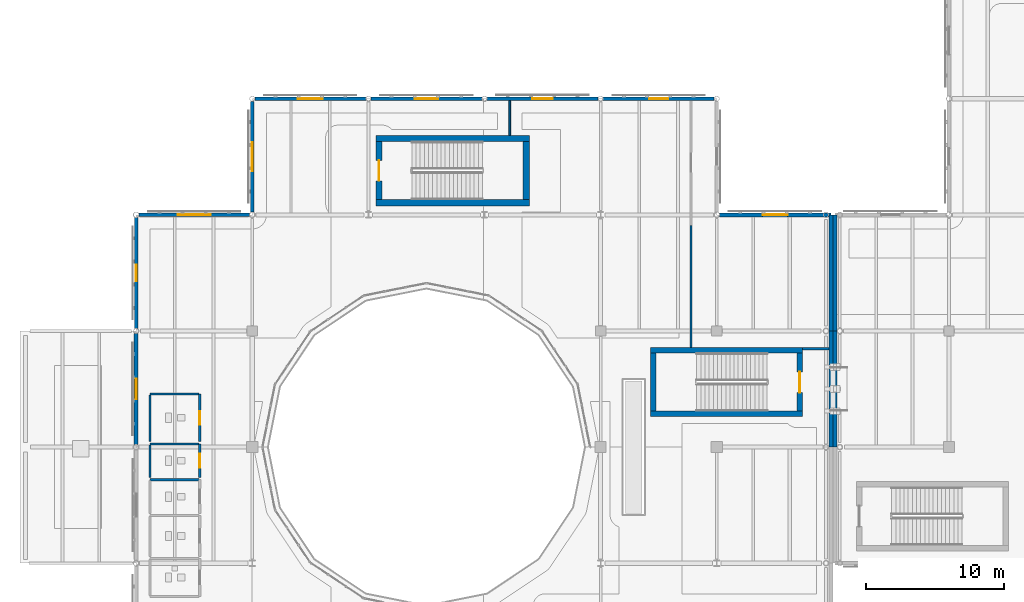
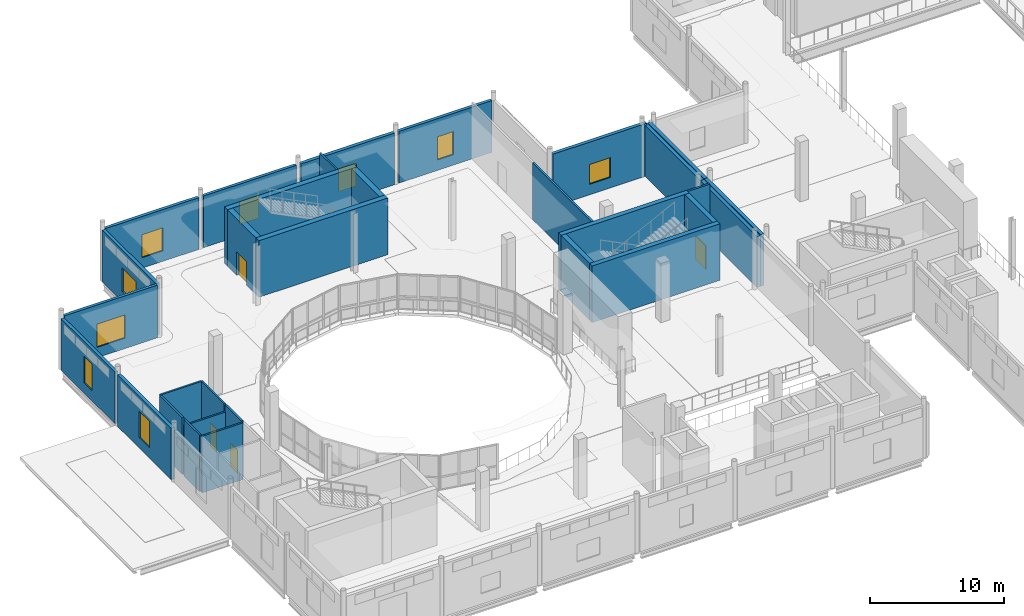
# One storey, part 68 of 110: 31 walls, 9 windows, 4 doors, 13 openings.
"""IFC4 building model written with IfcOpenShell, lengths in metres."""

from ifc_helpers import new_model, si_unit, direction, frame, frame_2d, origin, place, context, subcontext, project, spatial, rectangle, extrude, material, layer, layer_set, type_object, element, fill, save


model = new_model("IFC4")

# Units and contexts
model_context = context("Model", 3, precision=1e-05, world=origin(), true_north=direction((0.0, 1.0)))
body_context = subcontext(model_context, "Body", "Model", "MODEL_VIEW")
ifc_project = project(units=[si_unit("LENGTHUNIT", "METRE"), si_unit("AREAUNIT", "SQUARE_METRE"), si_unit("VOLUMEUNIT", "CUBIC_METRE"), si_unit("PLANEANGLEUNIT", "RADIAN"), si_unit("MASSUNIT", "GRAM", prefix="KILO"), si_unit("THERMODYNAMICTEMPERATUREUNIT", "KELVIN")], contexts=[model_context])

# Site, building, storey
site_placement = place(None, origin())
site = spatial("IfcSite", under=ifc_project, at=site_placement, CompositionType="ELEMENT")
building_placement = place(site_placement, origin())
building = spatial("IfcBuilding", under=site, at=building_placement, Name="Lustrewick Department Store", CompositionType="ELEMENT")
storey_placement = place(building_placement, frame((0.0, 0.0, 6.0)))
storey = spatial("IfcBuildingStorey", under=building, at=storey_placement, Name="L02", CompositionType="ELEMENT", Elevation=6.0)

# Wall, opening, window
ifc_material_1 = material(Name="Precast concrete C40", Category="concrete")
ifc_layer_1 = layer(ifc_material_1, 0.239990234375, Name="Precast concrete C40")
ifc_layer_set_1 = layer_set([ifc_layer_1], Name="Precast concrete C40")
wall_type_1 = type_object("IfcWallType", Name="EW01", PredefinedType="STANDARD", material=ifc_layer_set_1)
wall_1_placement = place(storey_placement, frame((33.41650390625, 92.39990234375, 0.0), z_axis=(0.0, 0.0, 1.0), x_axis=(-1.0, 0.0, 0.0)))
wall_1 = element("IfcWall", 1, at=wall_1_placement, inside=storey, type_object=wall_type_1, Name="L02 V1 Exterior Wall EW01", PredefinedType="STANDARD", context=body_context, shape_type="SweptSolid", body=[
    extrude(rectangle(XDim=8.032958984375, YDim=0.239990234375, at=frame_2d((4.0166015625, 0.0))), origin(), (0.0, 0.0, 1.0), 4.697021484375),
])
opening_1_placement = place(wall_1_placement, frame((3.176513671875, 0.0, 0.949951171875)))
opening_1 = element("IfcOpeningElement", 2, at=opening_1_placement, cuts=wall_1, Name="Opening WN09", PredefinedType="OPENING", context=body_context, shape_type="SweptSolid", body=[
    extrude(rectangle(XDim=1.679931640625, YDim=2.10009765625, at=frame_2d((0.83984375, 1.050048828125))), frame((0.0, 0.1298828125, 0.0), z_axis=(0.0, -1.0, 0.0), x_axis=(1.0, 0.0, 0.0)), (0.0, 0.0, 1.0), 0.260009765625),
])
ifc_material_2 = material(Name="Thermally broken Low-E triple-glazed window", Category="glass")
window_type_1 = type_object("IfcWindowType", Name="WN09", PartitioningType="DOUBLE_PANEL_VERTICAL", PredefinedType="WINDOW", material=ifc_material_2)
window_1_placement = place(opening_1_placement, origin())
window_1 = element("IfcWindow", 3, at=window_1_placement, inside=storey, type_object=window_type_1, Name="L02 Art Nouveau Window WN09", OverallHeight=2.10009765625, OverallWidth=1.679931640625, PartitioningType="SINGLE_PANEL", PredefinedType="WINDOW", context=body_context, shape_type="SweptSolid", body=[
    extrude(rectangle(XDim=1.679931640625, YDim=2.10009765625, at=frame_2d((0.83984375, 1.050048828125))), frame((0.0, 0.030029296875, 0.0), z_axis=(0.0, -1.0, 0.0), x_axis=(1.0, 0.0, 0.0)), (0.0, 0.0, 1.0), 0.06005859375),
])
fill(opening_1, window_1)

wall_2_placement = place(storey_placement, frame((16.60205078125, 84.0, 0.0), z_axis=(0.0, 0.0, 1.0), x_axis=(-1.0, 0.0, 0.0)))
wall_2 = element("IfcWall", 4, at=wall_2_placement, inside=storey, type_object=wall_type_1, Name="L02 V1 Exterior Wall EW01", PredefinedType="STANDARD", context=body_context, shape_type="SweptSolid", body=[
    extrude(rectangle(XDim=8.004150390625, YDim=0.239990234375, at=frame_2d((4.001953125, 0.0))), origin(), (0.0, 0.0, 1.0), 4.787109375),
])
opening_2_placement = place(wall_2_placement, frame((2.802001953125, 0.0, 0.949951171875)))
opening_2 = element("IfcOpeningElement", 5, at=opening_2_placement, cuts=wall_2, Name="Opening WN12", PredefinedType="OPENING", context=body_context, shape_type="SweptSolid", body=[
    extrude(rectangle(XDim=2.39990234375, YDim=2.10009765625, at=frame_2d((1.199951171875, 1.050048828125))), frame((0.0, 0.1298828125, 0.0), z_axis=(0.0, -1.0, 0.0), x_axis=(1.0, 0.0, 0.0)), (0.0, 0.0, 1.0), 0.260009765625),
])
window_type_2 = type_object("IfcWindowType", Name="WN12", PartitioningType="DOUBLE_PANEL_VERTICAL", PredefinedType="WINDOW", material=ifc_material_2)
window_2_placement = place(opening_2_placement, origin())
window_2 = element("IfcWindow", 6, at=window_2_placement, inside=storey, type_object=window_type_2, Name="L02 Art Nouveau Window WN12", OverallHeight=2.10009765625, OverallWidth=2.39990234375, PartitioningType="SINGLE_PANEL", PredefinedType="WINDOW", context=body_context, shape_type="SweptSolid", body=[
    extrude(rectangle(XDim=2.39990234375, YDim=2.10009765625, at=frame_2d((1.199951171875, 1.050048828125))), frame((0.0, 0.030029296875, 0.0), z_axis=(0.0, -1.0, 0.0), x_axis=(1.0, 0.0, 0.0)), (0.0, 0.0, 1.0), 0.06005859375),
])
fill(opening_2, window_2)

ifc_layer_2 = layer(ifc_material_1, 0.260009765625, Name="Precast concrete C40")
ifc_layer_set_2 = layer_set([ifc_layer_2], Name="Precast concrete C40")
wall_type_2 = type_object("IfcWallType", Name="EW02", PredefinedType="STANDARD", material=ifc_layer_set_2)
wall_3_placement = place(storey_placement, frame((50.216552734375, 92.39990234375, 0.0), z_axis=(0.0, 0.0, 1.0), x_axis=(-1.0, 0.0, 0.0)))
wall_3 = element("IfcWall", 7, at=wall_3_placement, inside=storey, type_object=wall_type_2, Name="L02 V1 Exterior Wall EW02", PredefinedType="STANDARD", context=body_context, shape_type="SweptSolid", body=[
    extrude(rectangle(XDim=8.032958984375, YDim=0.260009765625, at=frame_2d((4.0166015625, 0.0))), origin(), (0.0, 0.0, 1.0), 4.697021484375),
])
opening_3_placement = place(wall_3_placement, frame((3.341552734375, 0.0, 0.949951171875)))
opening_3 = element("IfcOpeningElement", 8, at=opening_3_placement, cuts=wall_3, Name="Opening WN07", PredefinedType="OPENING", context=body_context, shape_type="SweptSolid", body=[
    extrude(rectangle(XDim=1.35009765625, YDim=2.10009765625, at=frame_2d((0.675048828125, 1.050048828125))), frame((0.0, 0.14013671875, 0.0), z_axis=(0.0, -1.0, 0.0), x_axis=(1.0, 0.0, 0.0)), (0.0, 0.0, 1.0), 0.280029296875),
])
window_type_3 = type_object("IfcWindowType", Name="WN07", PartitioningType="DOUBLE_PANEL_VERTICAL", PredefinedType="WINDOW", material=ifc_material_2)
window_3_placement = place(opening_3_placement, origin())
window_3 = element("IfcWindow", 9, at=window_3_placement, inside=storey, type_object=window_type_3, Name="L02 Art Nouveau Window WN07", OverallHeight=2.10009765625, OverallWidth=1.35009765625, PartitioningType="SINGLE_PANEL", PredefinedType="WINDOW", context=body_context, shape_type="SweptSolid", body=[
    extrude(rectangle(XDim=1.35009765625, YDim=2.10009765625, at=frame_2d((0.675048828125, 1.050048828125))), frame((0.0, 0.030029296875, 0.0), z_axis=(0.0, -1.0, 0.0), x_axis=(1.0, 0.0, 0.0)), (0.0, 0.0, 1.0), 0.06005859375),
])
fill(opening_3, window_3)

wall_4_placement = place(storey_placement, frame((25.0166015625, 92.39990234375, 0.0), z_axis=(0.0, 0.0, 1.0), x_axis=(-1.0, 0.0, 0.0)))
wall_4 = element("IfcWall", 10, at=wall_4_placement, inside=storey, type_object=wall_type_2, Name="L02 V1 Exterior Wall EW02", PredefinedType="STANDARD", context=body_context, shape_type="SweptSolid", body=[
    extrude(rectangle(XDim=8.033203125, YDim=0.260009765625, at=frame_2d((4.0166015625, 0.0))), origin(), (0.0, 0.0, 1.0), 4.697021484375),
])
opening_4_placement = place(wall_4_placement, frame((3.116455078125, 0.0, 0.949951171875)))
opening_4 = element("IfcOpeningElement", 11, at=opening_4_placement, cuts=wall_4, Name="Opening WN10", PredefinedType="OPENING", context=body_context, shape_type="SweptSolid", body=[
    extrude(rectangle(XDim=1.800048828125, YDim=2.10009765625, at=frame_2d((0.89990234375, 1.050048828125))), frame((0.0, 0.14013671875, 0.0), z_axis=(0.0, -1.0, 0.0), x_axis=(1.0, 0.0, 0.0)), (0.0, 0.0, 1.0), 0.280029296875),
])
window_type_4 = type_object("IfcWindowType", Name="WN10", PartitioningType="DOUBLE_PANEL_VERTICAL", PredefinedType="WINDOW", material=ifc_material_2)
window_4_placement = place(opening_4_placement, origin())
window_4 = element("IfcWindow", 12, at=window_4_placement, inside=storey, type_object=window_type_4, Name="L02 Art Nouveau Window WN10", OverallHeight=2.10009765625, OverallWidth=1.800048828125, PartitioningType="SINGLE_PANEL", PredefinedType="WINDOW", context=body_context, shape_type="SweptSolid", body=[
    extrude(rectangle(XDim=1.800048828125, YDim=2.10009765625, at=frame_2d((0.89990234375, 1.050048828125))), frame((0.0, 0.030029296875, 0.0), z_axis=(0.0, -1.0, 0.0), x_axis=(1.0, 0.0, 0.0)), (0.0, 0.0, 1.0), 0.06005859375),
])
fill(opening_4, window_4)

wall_5_placement = place(storey_placement, frame((8.39990234375, 83.802001953125, 0.0), z_axis=(0.0, 0.0, 1.0), x_axis=(0.0, -1.0, 0.0)))
wall_5 = element("IfcWall", 13, at=wall_5_placement, inside=storey, type_object=wall_type_2, Name="L02 V1 Exterior Wall EW02", PredefinedType="STANDARD", context=body_context, shape_type="SweptSolid", body=[
    extrude(rectangle(XDim=8.0185546875, YDim=0.260009765625, at=frame_2d((4.00927734375, 0.0))), origin(), (0.0, 0.0, 1.0), 4.697021484375),
])
opening_5_placement = place(wall_5_placement, frame((3.4091796875, 0.0, 0.949951171875)))
opening_5 = element("IfcOpeningElement", 14, at=opening_5_placement, cuts=wall_5, Name="Opening WN13", PredefinedType="OPENING", context=body_context, shape_type="SweptSolid", body=[
    extrude(rectangle(XDim=1.199951171875, YDim=2.39990234375, at=frame_2d((0.60009765625, 1.199951171875))), frame((0.0, 0.14013671875, 0.0), z_axis=(0.0, -1.0, 0.0), x_axis=(1.0, 0.0, 0.0)), (0.0, 0.0, 1.0), 0.280029296875),
])
window_type_5 = type_object("IfcWindowType", Name="WN13", PartitioningType="DOUBLE_PANEL_VERTICAL", PredefinedType="WINDOW", material=ifc_material_2)
window_5_placement = place(opening_5_placement, origin())
window_5 = element("IfcWindow", 15, at=window_5_placement, inside=storey, type_object=window_type_5, Name="L02 Art Nouveau Window WN13", OverallHeight=2.39990234375, OverallWidth=1.199951171875, PartitioningType="SINGLE_PANEL", PredefinedType="WINDOW", context=body_context, shape_type="SweptSolid", body=[
    extrude(rectangle(XDim=1.199951171875, YDim=2.39990234375, at=frame_2d((0.60009765625, 1.199951171875))), frame((0.0, 0.030029296875, 0.0), z_axis=(0.0, -1.0, 0.0), x_axis=(1.0, 0.0, 0.0)), (0.0, 0.0, 1.0), 0.06005859375),
])
fill(opening_5, window_5)

ifc_layer_3 = layer(ifc_material_1, 0.280029296875, Name="Precast concrete C40")
ifc_layer_set_3 = layer_set([ifc_layer_3], Name="Precast concrete C40")
wall_type_3 = type_object("IfcWallType", Name="EW03", PredefinedType="STANDARD", material=ifc_layer_set_3)
wall_6_placement = place(storey_placement, frame((58.64990234375, 84.0, 0.0), z_axis=(0.0, 0.0, 1.0), x_axis=(-1.0, 0.0, 0.0)))
wall_6 = element("IfcWall", 16, at=wall_6_placement, inside=storey, type_object=wall_type_3, Name="L02 V1 Exterior Wall EW03", PredefinedType="STANDARD", context=body_context, shape_type="SweptSolid", body=[
    extrude(rectangle(XDim=8.052001953125, YDim=0.280029296875, at=frame_2d((4.02587890625, 0.0))), origin(), (0.0, 0.0, 1.0), 4.787109375),
])
opening_6_placement = place(wall_6_placement, frame((3.1259765625, 0.0, 0.949951171875)))
opening_6 = element("IfcOpeningElement", 17, at=opening_6_placement, cuts=wall_6, Name="Opening WN05", PredefinedType="OPENING", context=body_context, shape_type="SweptSolid", body=[
    extrude(rectangle(XDim=1.800048828125, YDim=1.800048828125, at=frame_2d((0.89990234375, 0.89990234375))), frame((0.0, 0.14990234375, 0.0), z_axis=(0.0, -1.0, 0.0), x_axis=(1.0, 0.0, 0.0)), (0.0, 0.0, 1.0), 0.300048828125),
])
window_type_6 = type_object("IfcWindowType", Name="WN05", PartitioningType="DOUBLE_PANEL_VERTICAL", PredefinedType="WINDOW", material=ifc_material_2)
window_6_placement = place(opening_6_placement, origin())
window_6 = element("IfcWindow", 18, at=window_6_placement, inside=storey, type_object=window_type_6, Name="L02 Art Nouveau Window WN05", OverallHeight=1.800048828125, OverallWidth=1.800048828125, PartitioningType="SINGLE_PANEL", PredefinedType="WINDOW", context=body_context, shape_type="SweptSolid", body=[
    extrude(rectangle(XDim=1.800048828125, YDim=1.800048828125, at=frame_2d((0.89990234375, 0.89990234375))), frame((0.0, 0.030029296875, 0.0), z_axis=(0.0, -1.0, 0.0), x_axis=(1.0, 0.0, 0.0)), (0.0, 0.0, 1.0), 0.06005859375),
])
fill(opening_6, window_6)

wall_7_placement = place(storey_placement, frame((41.81640625, 92.39990234375, 0.0), z_axis=(0.0, 0.0, 1.0), x_axis=(-1.0, 0.0, 0.0)))
wall_7 = element("IfcWall", 19, at=wall_7_placement, inside=storey, type_object=wall_type_3, Name="L02 V1 Exterior Wall EW03", PredefinedType="STANDARD", context=body_context, shape_type="SweptSolid", body=[
    extrude(rectangle(XDim=8.032958984375, YDim=0.280029296875, at=frame_2d((4.0166015625, 0.0))), origin(), (0.0, 0.0, 1.0), 4.697021484375),
])
opening_7_placement = place(wall_7_placement, frame((3.2666015625, 0.0, 0.949951171875)))
opening_7 = element("IfcOpeningElement", 20, at=opening_7_placement, cuts=wall_7, Name="Opening WN08", PredefinedType="OPENING", context=body_context, shape_type="SweptSolid", body=[
    extrude(rectangle(XDim=1.5, YDim=2.10009765625, at=frame_2d((0.75, 1.050048828125))), frame((0.0, 0.14990234375, 0.0), z_axis=(0.0, -1.0, 0.0), x_axis=(1.0, 0.0, 0.0)), (0.0, 0.0, 1.0), 0.300048828125),
])
window_type_7 = type_object("IfcWindowType", Name="WN08", PartitioningType="DOUBLE_PANEL_VERTICAL", PredefinedType="WINDOW", material=ifc_material_2)
window_7_placement = place(opening_7_placement, origin())
window_7 = element("IfcWindow", 21, at=window_7_placement, inside=storey, type_object=window_type_7, Name="L02 Art Nouveau Window WN08", OverallHeight=2.10009765625, OverallWidth=1.5, PartitioningType="SINGLE_PANEL", PredefinedType="WINDOW", context=body_context, shape_type="SweptSolid", body=[
    extrude(rectangle(XDim=1.5, YDim=2.10009765625, at=frame_2d((0.75, 1.050048828125))), frame((0.0, 0.030029296875, 0.0), z_axis=(0.0, -1.0, 0.0), x_axis=(1.0, 0.0, 0.0)), (0.0, 0.0, 1.0), 0.06005859375),
])
fill(opening_7, window_7)

wall_8_placement = place(storey_placement, frame((16.800048828125, 92.216552734375, 0.0), z_axis=(0.0, 0.0, 1.0), x_axis=(0.0, -1.0, 0.0)))
wall_8 = element("IfcWall", 22, at=wall_8_placement, inside=storey, type_object=wall_type_3, Name="L02 V1 Exterior Wall EW03", PredefinedType="STANDARD", context=body_context, shape_type="SweptSolid", body=[
    extrude(rectangle(XDim=8.0185546875, YDim=0.280029296875, at=frame_2d((4.00927734375, 0.0))), origin(), (0.0, 0.0, 1.0), 4.697021484375),
])
opening_8_placement = place(wall_8_placement, frame((2.959228515625, 0.0, 0.949951171875)))
opening_8 = element("IfcOpeningElement", 23, at=opening_8_placement, cuts=wall_8, Name="Opening WN11", PredefinedType="OPENING", context=body_context, shape_type="SweptSolid", body=[
    extrude(rectangle(XDim=2.10009765625, YDim=2.10009765625, at=frame_2d((1.050048828125, 1.050048828125))), frame((0.0, 0.14990234375, 0.0), z_axis=(0.0, -1.0, 0.0), x_axis=(1.0, 0.0, 0.0)), (0.0, 0.0, 1.0), 0.300048828125),
])
window_type_8 = type_object("IfcWindowType", Name="WN11", PartitioningType="DOUBLE_PANEL_VERTICAL", PredefinedType="WINDOW", material=ifc_material_2)
window_8_placement = place(opening_8_placement, origin())
window_8 = element("IfcWindow", 24, at=window_8_placement, inside=storey, type_object=window_type_8, Name="L02 Art Nouveau Window WN11", OverallHeight=2.10009765625, OverallWidth=2.10009765625, PartitioningType="SINGLE_PANEL", PredefinedType="WINDOW", context=body_context, shape_type="SweptSolid", body=[
    extrude(rectangle(XDim=2.10009765625, YDim=2.10009765625, at=frame_2d((1.050048828125, 1.050048828125))), frame((0.0, 0.030029296875, 0.0), z_axis=(0.0, -1.0, 0.0), x_axis=(1.0, 0.0, 0.0)), (0.0, 0.0, 1.0), 0.06005859375),
])
fill(opening_8, window_8)

wall_9_placement = place(storey_placement, frame((8.39990234375, 75.41650390625, 0.0), z_axis=(0.0, 0.0, 1.0), x_axis=(0.0, -1.0, 0.0)))
wall_9 = element("IfcWall", 25, at=wall_9_placement, inside=storey, type_object=wall_type_3, Name="L02 V1 Exterior Wall EW03", PredefinedType="STANDARD", context=body_context, shape_type="SweptSolid", body=[
    extrude(rectangle(XDim=8.0185546875, YDim=0.280029296875, at=frame_2d((4.00927734375, 0.0))), origin(), (0.0, 0.0, 1.0), 4.697021484375),
])
opening_9_placement = place(wall_9_placement, frame((3.25927734375, 0.0, 0.949951171875)))
opening_9 = element("IfcOpeningElement", 26, at=opening_9_placement, cuts=wall_9, Name="Opening WN14", PredefinedType="OPENING", context=body_context, shape_type="SweptSolid", body=[
    extrude(rectangle(XDim=1.5, YDim=2.39990234375, at=frame_2d((0.75, 1.199951171875))), frame((0.0, 0.14990234375, 0.0), z_axis=(0.0, -1.0, 0.0), x_axis=(1.0, 0.0, 0.0)), (0.0, 0.0, 1.0), 0.300048828125),
])
window_type_9 = type_object("IfcWindowType", Name="WN14", PartitioningType="DOUBLE_PANEL_VERTICAL", PredefinedType="WINDOW", material=ifc_material_2)
window_9_placement = place(opening_9_placement, origin())
window_9 = element("IfcWindow", 27, at=window_9_placement, inside=storey, type_object=window_type_9, Name="L02 Art Nouveau Window WN14", OverallHeight=2.39990234375, OverallWidth=1.5, PartitioningType="SINGLE_PANEL", PredefinedType="WINDOW", context=body_context, shape_type="SweptSolid", body=[
    extrude(rectangle(XDim=1.5, YDim=2.39990234375, at=frame_2d((0.75, 1.199951171875))), frame((0.0, 0.030029296875, 0.0), z_axis=(0.0, -1.0, 0.0), x_axis=(1.0, 0.0, 0.0)), (0.0, 0.0, 1.0), 0.06005859375),
])
fill(opening_9, window_9)

# Walls
ifc_layer_4 = layer(ifc_material_1, 0.300048828125, Name="Precast concrete C40")
ifc_layer_set_4 = layer_set([ifc_layer_4], Name="Precast concrete C40")
wall_type_4 = type_object("IfcWallType", Name="EW04", PredefinedType="STANDARD", material=ifc_layer_set_4)
wall_10_placement = place(storey_placement, frame((58.64990234375, 67.199951171875, 0.0), z_axis=(0.0, 0.0, 1.0), x_axis=(0.0, 1.0, 0.0)))
element("IfcWall", 28, at=wall_10_placement, inside=storey, type_object=wall_type_4, Name="L02 V1 Exterior Wall EW04", PredefinedType="STANDARD", context=body_context, shape_type="SweptSolid", body=[
    extrude(rectangle(XDim=8.400146484375, YDim=0.300048828125, at=frame_2d((4.2001953125, 0.0))), origin(), (0.0, 0.0, 1.0), 4.631103515625),
])
wall_11_placement = place(storey_placement, frame((58.64990234375, 75.60009765625, 0.0), z_axis=(0.0, 0.0, 1.0), x_axis=(0.0, 1.0, 0.0)))
element("IfcWall", 29, at=wall_11_placement, inside=storey, type_object=wall_type_4, Name="L02 V1 Exterior Wall EW04", PredefinedType="STANDARD", context=body_context, shape_type="SweptSolid", body=[
    extrude(rectangle(XDim=8.39990234375, YDim=0.300048828125, at=frame_2d((4.199951171875, 0.0))), origin(), (0.0, 0.0, 1.0), 4.631103515625),
])
wall_12_placement = place(storey_placement, frame((58.949951171875, 84.0, 0.0), z_axis=(0.0, 0.0, 1.0), x_axis=(0.0, -1.0, 0.0)))
element("IfcWall", 30, at=wall_12_placement, inside=storey, type_object=wall_type_4, Name="L02 V2 Exterior Wall EW04", PredefinedType="STANDARD", context=body_context, shape_type="SweptSolid", body=[
    extrude(rectangle(XDim=8.39990234375, YDim=0.300048828125, at=frame_2d((4.199951171875, 0.0))), origin(), (0.0, 0.0, 1.0), 4.697021484375),
])
wall_13_placement = place(storey_placement, frame((58.949951171875, 75.60009765625, 0.0), z_axis=(0.0, 0.0, 1.0), x_axis=(0.0, -1.0, 0.0)))
element("IfcWall", 31, at=wall_13_placement, inside=storey, type_object=wall_type_4, Name="L02 V2 Exterior Wall EW04", PredefinedType="STANDARD", context=body_context, shape_type="SweptSolid", body=[
    extrude(rectangle(XDim=8.400146484375, YDim=0.300048828125, at=frame_2d((4.2001953125, 0.0))), origin(), (0.0, 0.0, 1.0), 4.697021484375),
])
ifc_material_3 = material(Name="Double-stud gypsum fire board with mineral wool", Category="gypsum")
ifc_layer_5 = layer(ifc_material_3, 0.1650390625, Name="Double-stud gypsum fire board with mineral wool")
ifc_layer_set_5 = layer_set([ifc_layer_5], Name="Double-stud gypsum fire board with mineral wool")
wall_type_5 = type_object("IfcWallType", Name="PW04", PredefinedType="PARTITIONING", material=ifc_layer_set_5)
wall_14_placement = place(storey_placement, frame((48.52978515625, 83.235107421875, 0.0), z_axis=(0.0, 0.0, 1.0), x_axis=(0.0, -1.0, 0.0)))
element("IfcWall", 32, at=wall_14_placement, inside=storey, type_object=wall_type_5, Name="L02 Forward Stockroom PW04", PredefinedType="PARTITIONING", context=body_context, shape_type="SweptSolid", body=[
    extrude(rectangle(XDim=8.840087890625, YDim=0.1650390625, at=frame_2d((4.419921875, 0.0))), origin(), (0.0, 0.0, 1.0), 5.14501953125),
])
wall_15_placement = place(storey_placement, frame((56.60009765625, 74.31005859375, 0.0), z_axis=(0.0, 0.0, 1.0), x_axis=(1.0, 0.0, 0.0)))
element("IfcWall", 33, at=wall_15_placement, inside=storey, type_object=wall_type_5, Name="L02 Forward Stockroom PW04", PredefinedType="PARTITIONING", context=body_context, shape_type="SweptSolid", body=[
    extrude(rectangle(XDim=1.90478515625, YDim=0.1650390625, at=frame_2d((0.952392578125, 0.0))), origin(), (0.0, 0.0, 1.0), 5.14501953125),
])
ifc_material_4 = material(Name="Moisture-resistant cement board sanitary partition", Category="gypsum")
ifc_layer_6 = layer(ifc_material_4, 0.14990234375, Name="Moisture-resistant cement board sanitary partition")
ifc_layer_set_6 = layer_set([ifc_layer_6], Name="Moisture-resistant cement board sanitary partition")
wall_type_6 = type_object("IfcWallType", Name="PW05", PredefinedType="PARTITIONING", material=ifc_layer_set_6)
wall_16_placement = place(storey_placement, frame((12.929931640625, 64.840087890625, 0.0), z_axis=(0.0, 0.0, 1.0), x_axis=(-1.0, 0.0, 0.0)))
element("IfcWall", 34, at=wall_16_placement, inside=storey, type_object=wall_type_6, Name="L02 Accessible WC PW05", PredefinedType="PARTITIONING", context=body_context, shape_type="SweptSolid", body=[
    extrude(rectangle(XDim=3.530029296875, YDim=0.14990234375, at=frame_2d((1.76513671875, 0.0))), origin(), (0.0, 0.0, 1.0), 5.14501953125),
])

# Wall, opening, door
wall_17_placement = place(storey_placement, frame((13.0, 65.0, 0.0), z_axis=(0.0, 0.0, 1.0), x_axis=(0.0, 1.0, 0.0)))
wall_17 = element("IfcWall", 35, at=wall_17_placement, inside=storey, type_object=wall_type_6, Name="L02 Staff WC PW05", PredefinedType="PARTITIONING", context=body_context, shape_type="SweptSolid", body=[
    extrude(rectangle(XDim=2.43994140625, YDim=0.14990234375, at=frame_2d((1.219970703125, 0.0))), origin(), (0.0, 0.0, 1.0), 5.14501953125),
])
opening_10_placement = place(wall_17_placement, frame((0.719970703125, 0.0, 0.0)))
opening_10 = element("IfcOpeningElement", 36, at=opening_10_placement, cuts=wall_17, Name="Opening D-L02-045", PredefinedType="OPENING", context=body_context, shape_type="SweptSolid", body=[
    extrude(rectangle(XDim=1.0, YDim=2.10009765625, at=frame_2d((0.5, 1.050048828125))), frame((0.0, 0.0849609375, 0.0), z_axis=(0.0, -1.0, 0.0), x_axis=(1.0, 0.0, 0.0)), (0.0, 0.0, 1.0), 0.169921875),
])
ifc_material_5 = material(Name="Moisture-resistant laminate sanitary door", Category="steel")
door_type_1 = type_object("IfcDoorType", Name="DT-11", OperationType="NOTDEFINED", PredefinedType="DOOR", material=ifc_material_5)
door_1_placement = place(opening_10_placement, origin())
door_1 = element("IfcDoor", 37, at=door_1_placement, inside=storey, type_object=door_type_1, Name="L02 Staff WC Door D-L02-045", OperationType="SINGLE_SWING_LEFT", OverallHeight=2.10009765625, OverallWidth=1.0, PredefinedType="DOOR", context=body_context, shape_type="SweptSolid", body=[
    extrude(rectangle(XDim=1.0, YDim=2.10009765625, at=frame_2d((0.5, 1.050048828125))), frame((0.0, 0.02490234375, 0.0), z_axis=(0.0, -1.0, 0.0), x_axis=(1.0, 0.0, 0.0)), (0.0, 0.0, 1.0), 0.050048828125),
])
fill(opening_10, door_1)

# Walls
wall_18_placement = place(storey_placement, frame((12.929931640625, 67.43994140625, 0.0), z_axis=(0.0, 0.0, 1.0), x_axis=(-1.0, 0.0, 0.0)))
element("IfcWall", 38, at=wall_18_placement, inside=storey, type_object=wall_type_6, Name="L02 Staff WC PW05", PredefinedType="PARTITIONING", context=body_context, shape_type="SweptSolid", body=[
    extrude(rectangle(XDim=3.530029296875, YDim=0.14990234375, at=frame_2d((1.76513671875, 0.0))), origin(), (0.0, 0.0, 1.0), 4.549072265625),
])
wall_19_placement = place(storey_placement, frame((9.39990234375, 67.3701171875, 0.0), z_axis=(0.0, 0.0, 1.0), x_axis=(0.0, -1.0, 0.0)))
element("IfcWall", 39, at=wall_19_placement, inside=storey, type_object=wall_type_6, Name="L02 Staff WC PW05", PredefinedType="PARTITIONING", context=body_context, shape_type="SweptSolid", body=[
    extrude(rectangle(XDim=2.3701171875, YDim=0.14990234375, at=frame_2d((1.18505859375, 0.0))), origin(), (0.0, 0.0, 1.0), 5.14501953125),
])

# Wall, opening, door
wall_20_placement = place(storey_placement, frame((13.0, 67.60009765625, 0.0), z_axis=(0.0, 0.0, 1.0), x_axis=(0.0, 1.0, 0.0)))
wall_20 = element("IfcWall", 40, at=wall_20_placement, inside=storey, type_object=wall_type_6, Name="L02 Nursery Room PW05", PredefinedType="PARTITIONING", context=body_context, shape_type="SweptSolid", body=[
    extrude(rectangle(XDim=3.43994140625, YDim=0.14990234375, at=frame_2d((1.719970703125, 0.0))), origin(), (0.0, 0.0, 1.0), 5.14501953125),
])
opening_11_placement = place(wall_20_placement, frame((1.22998046875, 0.0, 0.0)))
opening_11 = element("IfcOpeningElement", 41, at=opening_11_placement, cuts=wall_20, Name="Opening D-L02-046", PredefinedType="OPENING", context=body_context, shape_type="SweptSolid", body=[
    extrude(rectangle(XDim=0.97998046875, YDim=2.10009765625, at=frame_2d((0.489990234375, 1.050048828125))), frame((0.0, 0.0849609375, 0.0), z_axis=(0.0, -1.0, 0.0), x_axis=(1.0, 0.0, 0.0)), (0.0, 0.0, 1.0), 0.169921875),
])
ifc_material_6 = material(Name="Barrier-free accessible sanitary door", Category="steel")
door_type_2 = type_object("IfcDoorType", Name="DT-12", OperationType="NOTDEFINED", PredefinedType="DOOR", material=ifc_material_6)
door_2_placement = place(opening_11_placement, origin())
door_2 = element("IfcDoor", 42, at=door_2_placement, inside=storey, type_object=door_type_2, Name="L02 Nursery Room Door D-L02-046", OperationType="SINGLE_SWING_RIGHT", OverallHeight=2.10009765625, OverallWidth=0.97998046875, PredefinedType="DOOR", context=body_context, shape_type="SweptSolid", body=[
    extrude(rectangle(XDim=0.97998046875, YDim=2.10009765625, at=frame_2d((0.489990234375, 1.050048828125))), frame((0.0, 0.02490234375, 0.0), z_axis=(0.0, -1.0, 0.0), x_axis=(1.0, 0.0, 0.0)), (0.0, 0.0, 1.0), 0.050048828125),
])
fill(opening_11, door_2)

# Walls
wall_21_placement = place(storey_placement, frame((12.929931640625, 71.0400390625, 0.0), z_axis=(0.0, 0.0, 1.0), x_axis=(-1.0, 0.0, 0.0)))
element("IfcWall", 43, at=wall_21_placement, inside=storey, type_object=wall_type_6, Name="L02 Nursery Room PW05", PredefinedType="PARTITIONING", context=body_context, shape_type="SweptSolid", body=[
    extrude(rectangle(XDim=3.530029296875, YDim=0.14990234375, at=frame_2d((1.76513671875, 0.0))), origin(), (0.0, 0.0, 1.0), 5.14501953125),
])
wall_22_placement = place(storey_placement, frame((9.39990234375, 70.969970703125, 0.0), z_axis=(0.0, 0.0, 1.0), x_axis=(0.0, -1.0, 0.0)))
element("IfcWall", 44, at=wall_22_placement, inside=storey, type_object=wall_type_6, Name="L02 Nursery Room PW05", PredefinedType="PARTITIONING", context=body_context, shape_type="SweptSolid", body=[
    extrude(rectangle(XDim=3.369873046875, YDim=0.14990234375, at=frame_2d((1.68505859375, 0.0))), origin(), (0.0, 0.0, 1.0), 5.14501953125),
])
ifc_material_7 = material(Name="Acoustic gypsum stud corridor partition", Category="gypsum")
ifc_layer_7 = layer(ifc_material_7, 0.135009765625, Name="Acoustic gypsum stud corridor partition")
ifc_layer_set_7 = layer_set([ifc_layer_7], Name="Acoustic gypsum stud corridor partition")
wall_type_7 = type_object("IfcWallType", Name="PW06", PredefinedType="PARTITIONING", material=ifc_layer_set_7)
wall_23_placement = place(storey_placement, frame((35.423095703125, 89.7451171875, 0.0), z_axis=(0.0, 0.0, 1.0), x_axis=(0.0, 1.0, 0.0)))
element("IfcWall", 45, at=wall_23_placement, inside=storey, type_object=wall_type_7, Name="L02 Womenswear Fashion Boutique PW06", PredefinedType="PARTITIONING", context=body_context, shape_type="SweptSolid", body=[
    extrude(rectangle(XDim=2.519775390625, YDim=0.135009765625, at=frame_2d((1.259765625, 0.0))), origin(), (0.0, 0.0, 1.0), 5.14501953125),
])
ifc_material_8 = material(Name="Concrete C50", Category="concrete")
ifc_layer_8 = layer(ifc_material_8, 0.449951171875, Name="Concrete C50")
ifc_layer_set_8 = layer_set([ifc_layer_8], Name="Concrete C50")
wall_type_8 = type_object("IfcWallType", Name="SW01", PredefinedType="SHEAR", material=ifc_layer_set_8)
wall_24_placement = place(storey_placement, frame((25.75, 84.875, 0.0), z_axis=(0.0, 0.0, 1.0), x_axis=(1.0, 0.0, 0.0)))
element("IfcWall", 46, at=wall_24_placement, inside=storey, type_object=wall_type_8, Name="L02 Stair Core ST03 Shear Wall S", PredefinedType="SHEAR", context=body_context, shape_type="SweptSolid", body=[
    extrude(rectangle(XDim=11.10009765625, YDim=0.449951171875, at=frame_2d((5.550048828125, 0.0))), origin(), (0.0, 0.0, 1.0), 5.14501953125),
])
wall_25_placement = place(storey_placement, frame((36.625, 85.10009765625, 0.0), z_axis=(0.0, 0.0, 1.0), x_axis=(0.0, 1.0, 0.0)))
element("IfcWall", 47, at=wall_25_placement, inside=storey, type_object=wall_type_8, Name="L02 Stair Core ST03 Shear Wall E", PredefinedType="SHEAR", context=body_context, shape_type="SweptSolid", body=[
    extrude(rectangle(XDim=4.199951171875, YDim=0.449951171875, at=frame_2d((2.10009765625, 0.0))), origin(), (0.0, 0.0, 1.0), 5.14501953125),
])
wall_26_placement = place(storey_placement, frame((36.85009765625, 89.52490234375, 0.0), z_axis=(0.0, 0.0, 1.0), x_axis=(-1.0, 0.0, 0.0)))
element("IfcWall", 48, at=wall_26_placement, inside=storey, type_object=wall_type_8, Name="L02 Stair Core ST03 Shear Wall N", PredefinedType="SHEAR", context=body_context, shape_type="SweptSolid", body=[
    extrude(rectangle(XDim=11.10009765625, YDim=0.449951171875, at=frame_2d((5.550048828125, 0.0))), origin(), (0.0, 0.0, 1.0), 5.14501953125),
])

# Wall, opening, door
wall_27_placement = place(storey_placement, frame((25.97509765625, 89.300048828125, 0.0), z_axis=(0.0, 0.0, 1.0), x_axis=(0.0, -1.0, 0.0)))
wall_27 = element("IfcWall", 49, at=wall_27_placement, inside=storey, type_object=wall_type_8, Name="L02 Stair Core ST03 Shear Wall W", PredefinedType="SHEAR", context=body_context, shape_type="SweptSolid", body=[
    extrude(rectangle(XDim=4.199951171875, YDim=0.449951171875, at=frame_2d((2.10009765625, 0.0))), origin(), (0.0, 0.0, 1.0), 5.14501953125),
])
opening_12_placement = place(wall_27_placement, frame((1.35009765625, 0.0, 0.0)))
opening_12 = element("IfcOpeningElement", 50, at=opening_12_placement, cuts=wall_27, Name="Opening D-L02-003", PredefinedType="OPENING", context=body_context, shape_type="SweptSolid", body=[
    extrude(rectangle(XDim=1.5, YDim=2.14990234375, at=frame_2d((0.75, 1.074951171875))), frame((0.0, 0.23486328125, 0.0), z_axis=(0.0, -1.0, 0.0), x_axis=(1.0, 0.0, 0.0)), (0.0, 0.0, 1.0), 0.469970703125),
])
ifc_material_9 = material(Name="Steel fire door Class B EI 60", Category="steel")
door_type_3 = type_object("IfcDoorType", Name="DT-07", OperationType="NOTDEFINED", PredefinedType="DOOR", material=ifc_material_9)
door_3_placement = place(opening_12_placement, origin())
door_3 = element("IfcDoor", 51, at=door_3_placement, inside=storey, type_object=door_type_3, Name="L02 Smoke-Proof Stair ST03 Fire Door", OperationType="SINGLE_SWING_RIGHT", OverallHeight=2.14990234375, OverallWidth=1.5, PredefinedType="DOOR", context=body_context, shape_type="SweptSolid", body=[
    extrude(rectangle(XDim=1.5, YDim=2.14990234375, at=frame_2d((0.75, 1.074951171875))), frame((0.0, 0.02490234375, 0.0), z_axis=(0.0, -1.0, 0.0), x_axis=(1.0, 0.0, 0.0)), (0.0, 0.0, 1.0), 0.050048828125),
])
fill(opening_12, door_3)

# Wall
ifc_layer_9 = layer(ifc_material_8, 0.39990234375, Name="Concrete C50")
ifc_layer_set_9 = layer_set([ifc_layer_9], Name="Concrete C50")
wall_type_9 = type_object("IfcWallType", Name="SW02", PredefinedType="SHEAR", material=ifc_layer_set_9)
wall_28_placement = place(storey_placement, frame((45.60009765625, 69.60009765625, 0.0), z_axis=(0.0, 0.0, 1.0), x_axis=(1.0, 0.0, 0.0)))
element("IfcWall", 52, at=wall_28_placement, inside=storey, type_object=wall_type_9, Name="L02 Stair Core ST02 Shear Wall S", PredefinedType="SHEAR", context=body_context, shape_type="SweptSolid", body=[
    extrude(rectangle(XDim=11.0, YDim=0.39990234375, at=frame_2d((5.5, 0.0))), origin(), (0.0, 0.0, 1.0), 5.14501953125),
])

# Wall, opening, door
wall_29_placement = place(storey_placement, frame((56.39990234375, 69.800048828125, 0.0), z_axis=(0.0, 0.0, 1.0), x_axis=(0.0, 1.0, 0.0)))
wall_29 = element("IfcWall", 53, at=wall_29_placement, inside=storey, type_object=wall_type_9, Name="L02 Stair Core ST02 Shear Wall E", PredefinedType="SHEAR", context=body_context, shape_type="SweptSolid", body=[
    extrude(rectangle(XDim=4.199951171875, YDim=0.39990234375, at=frame_2d((2.10009765625, 0.0))), origin(), (0.0, 0.0, 1.0), 5.14501953125),
])
opening_13_placement = place(wall_29_placement, frame((1.35009765625, 0.0, 0.0)))
opening_13 = element("IfcOpeningElement", 54, at=opening_13_placement, cuts=wall_29, Name="Opening D-L02-002", PredefinedType="OPENING", context=body_context, shape_type="SweptSolid", body=[
    extrude(rectangle(XDim=1.5, YDim=2.14990234375, at=frame_2d((0.75, 1.074951171875))), frame((0.0, 0.2099609375, 0.0), z_axis=(0.0, -1.0, 0.0), x_axis=(1.0, 0.0, 0.0)), (0.0, 0.0, 1.0), 0.419921875),
])
door_4_placement = place(opening_13_placement, origin())
door_4 = element("IfcDoor", 55, at=door_4_placement, inside=storey, type_object=door_type_3, Name="L02 Smoke-Proof Stair ST02 Fire Door", OperationType="SINGLE_SWING_LEFT", OverallHeight=2.14990234375, OverallWidth=1.5, PredefinedType="DOOR", context=body_context, shape_type="SweptSolid", body=[
    extrude(rectangle(XDim=1.5, YDim=2.14990234375, at=frame_2d((0.75, 1.074951171875))), frame((0.0, 0.02490234375, 0.0), z_axis=(0.0, -1.0, 0.0), x_axis=(1.0, 0.0, 0.0)), (0.0, 0.0, 1.0), 0.050048828125),
])
fill(opening_13, door_4)

# Walls
wall_30_placement = place(storey_placement, frame((56.60009765625, 74.199951171875, 0.0), z_axis=(0.0, 0.0, 1.0), x_axis=(-1.0, 0.0, 0.0)))
element("IfcWall", 56, at=wall_30_placement, inside=storey, type_object=wall_type_9, Name="L02 Stair Core ST02 Shear Wall N", PredefinedType="SHEAR", context=body_context, shape_type="SweptSolid", body=[
    extrude(rectangle(XDim=11.0, YDim=0.39990234375, at=frame_2d((5.5, 0.0))), origin(), (0.0, 0.0, 1.0), 5.14501953125),
])
wall_31_placement = place(storey_placement, frame((45.800048828125, 74.0, 0.0), z_axis=(0.0, 0.0, 1.0), x_axis=(0.0, -1.0, 0.0)))
element("IfcWall", 57, at=wall_31_placement, inside=storey, type_object=wall_type_9, Name="L02 Stair Core ST02 Shear Wall W", PredefinedType="SHEAR", context=body_context, shape_type="SweptSolid", body=[
    extrude(rectangle(XDim=4.199951171875, YDim=0.39990234375, at=frame_2d((2.10009765625, 0.0))), origin(), (0.0, 0.0, 1.0), 5.14501953125),
])

save(model, "model.ifc")
